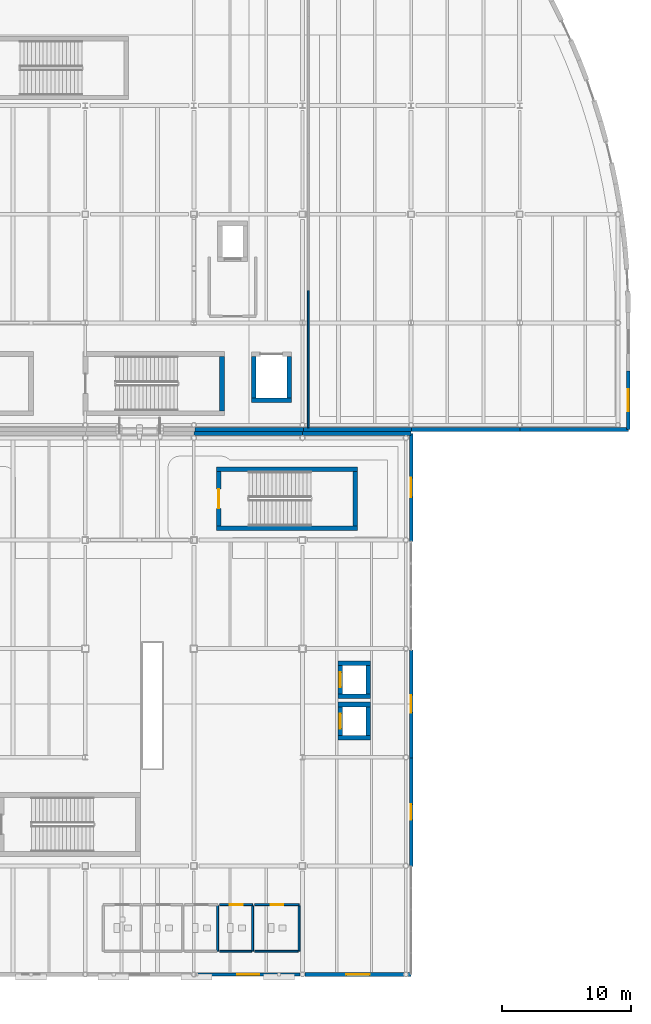
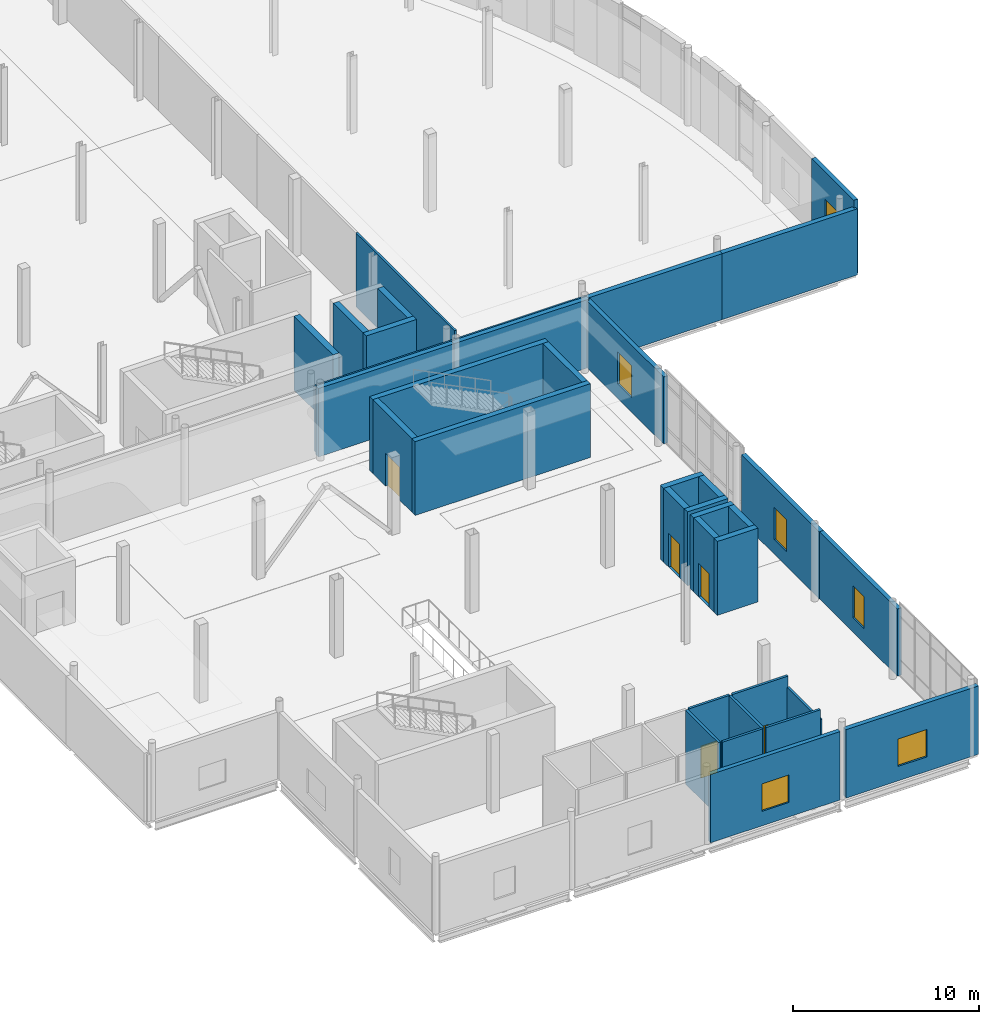
# One storey, part 72 of 104: 36 walls, 6 windows, 5 doors, 11 openings.
"""IFC4 building model written with IfcOpenShell, lengths in metres."""

from ifc_helpers import new_model, si_unit, direction, frame, frame_2d, origin, place, context, subcontext, project, spatial, rectangle, extrude, material, layer, layer_set, type_object, element, fill, save


model = new_model("IFC4")

# Units and contexts
model_context = context("Model", 3, precision=1e-05, world=origin(), true_north=direction((0.0, 1.0)))
body_context = subcontext(model_context, "Body", "Model", "MODEL_VIEW")
ifc_project = project(units=[si_unit("LENGTHUNIT", "METRE"), si_unit("AREAUNIT", "SQUARE_METRE"), si_unit("VOLUMEUNIT", "CUBIC_METRE"), si_unit("PLANEANGLEUNIT", "RADIAN"), si_unit("MASSUNIT", "GRAM", prefix="KILO"), si_unit("THERMODYNAMICTEMPERATUREUNIT", "KELVIN")], contexts=[model_context])

# Site, building, storey
site_placement = place(None, origin())
site = spatial("IfcSite", under=ifc_project, at=site_placement, CompositionType="ELEMENT")
building_placement = place(site_placement, origin())
building = spatial("IfcBuilding", under=site, at=building_placement, Name="Lustrewick Department Store", CompositionType="ELEMENT")
storey_placement = place(building_placement, frame((0.0, 0.0, 11.39990234375)))
storey = spatial("IfcBuildingStorey", under=building, at=storey_placement, Name="L03", CompositionType="ELEMENT", Elevation=11.39990234375)

# Wall, opening, window
ifc_material_1 = material(Name="Precast concrete C40", Category="concrete")
ifc_layer_1 = layer(ifc_material_1, 0.260009765625, Name="Precast concrete C40")
ifc_layer_set_1 = layer_set([ifc_layer_1], Name="Precast concrete C40")
wall_type_1 = type_object("IfcWallType", Name="EW02", PredefinedType="STANDARD", material=ifc_layer_set_1)
wall_1_placement = place(storey_placement, frame((134.58349609375, 8.39990234375, 0.0), z_axis=(0.0, 0.0, 1.0), x_axis=(1.0, 0.0, 0.0)))
wall_1 = element("IfcWall", 1, at=wall_1_placement, inside=storey, type_object=wall_type_1, Name="L03 V3 Exterior Wall EW02", PredefinedType="STANDARD", context=body_context, shape_type="SweptSolid", body=[
    extrude(rectangle(XDim=8.032958984375, YDim=0.260009765625, at=frame_2d((4.0166015625, 0.0))), origin(), (0.0, 0.0, 1.0), 4.487060546875),
])
opening_1_placement = place(wall_1_placement, frame((3.176513671875, 0.0, 0.949951171875)))
opening_1 = element("IfcOpeningElement", 2, at=opening_1_placement, cuts=wall_1, Name="Opening WN04", PredefinedType="OPENING", context=body_context, shape_type="SweptSolid", body=[
    extrude(rectangle(XDim=1.679931640625, YDim=1.800048828125, at=frame_2d((0.83984375, 0.89990234375))), frame((0.0, 0.14013671875, 0.0), z_axis=(0.0, -1.0, 0.0), x_axis=(1.0, 0.0, 0.0)), (0.0, 0.0, 1.0), 0.280029296875),
])
ifc_material_2 = material(Name="Thermally broken Low-E triple-glazed window", Category="glass")
window_type_1 = type_object("IfcWindowType", Name="WN04", PartitioningType="DOUBLE_PANEL_VERTICAL", PredefinedType="WINDOW", material=ifc_material_2)
window_1_placement = place(opening_1_placement, origin())
window_1 = element("IfcWindow", 3, at=window_1_placement, inside=storey, type_object=window_type_1, Name="L03 Art Nouveau Window WN04", OverallHeight=1.800048828125, OverallWidth=1.679931640625, PartitioningType="SINGLE_PANEL", PredefinedType="WINDOW", context=body_context, shape_type="SweptSolid", body=[
    extrude(rectangle(XDim=1.679931640625, YDim=1.800048828125, at=frame_2d((0.83984375, 0.89990234375))), frame((0.0, 0.030029296875, 0.0), z_axis=(0.0, -1.0, 0.0), x_axis=(1.0, 0.0, 0.0)), (0.0, 0.0, 1.0), 0.06005859375),
])
fill(opening_1, window_1)

wall_2_placement = place(storey_placement, frame((151.199951171875, 16.77001953125, 0.0), z_axis=(0.0, 0.0, 1.0), x_axis=(0.0, 1.0, 0.0)))
wall_2 = element("IfcWall", 4, at=wall_2_placement, inside=storey, type_object=wall_type_1, Name="L03 V3 Exterior Wall EW02", PredefinedType="STANDARD", context=body_context, shape_type="SweptSolid", body=[
    extrude(rectangle(XDim=8.369873046875, YDim=0.260009765625, at=frame_2d((4.18505859375, 0.0))), origin(), (0.0, 0.0, 1.0), 4.397216796875),
])
opening_2_placement = place(wall_2_placement, frame((3.5849609375, 0.0, 0.949951171875)))
opening_2 = element("IfcOpeningElement", 5, at=opening_2_placement, cuts=wall_2, Name="Opening WN06", PredefinedType="OPENING", context=body_context, shape_type="SweptSolid", body=[
    extrude(rectangle(XDim=1.199951171875, YDim=2.10009765625, at=frame_2d((0.60009765625, 1.050048828125))), frame((0.0, 0.14013671875, 0.0), z_axis=(0.0, -1.0, 0.0), x_axis=(1.0, 0.0, 0.0)), (0.0, 0.0, 1.0), 0.280029296875),
])
window_type_2 = type_object("IfcWindowType", Name="WN06", PartitioningType="DOUBLE_PANEL_VERTICAL", PredefinedType="WINDOW", material=ifc_material_2)
window_2_placement = place(opening_2_placement, origin())
window_2 = element("IfcWindow", 6, at=window_2_placement, inside=storey, type_object=window_type_2, Name="L03 Art Nouveau Window WN06", OverallHeight=2.10009765625, OverallWidth=1.199951171875, PartitioningType="SINGLE_PANEL", PredefinedType="WINDOW", context=body_context, shape_type="SweptSolid", body=[
    extrude(rectangle(XDim=1.199951171875, YDim=2.10009765625, at=frame_2d((0.60009765625, 1.050048828125))), frame((0.0, 0.030029296875, 0.0), z_axis=(0.0, -1.0, 0.0), x_axis=(1.0, 0.0, 0.0)), (0.0, 0.0, 1.0), 0.06005859375),
])
fill(opening_2, window_2)

wall_3_placement = place(storey_placement, frame((151.199951171875, 41.8798828125, 0.0), z_axis=(0.0, 0.0, 1.0), x_axis=(0.0, 1.0, 0.0)))
wall_3 = element("IfcWall", 7, at=wall_3_placement, inside=storey, type_object=wall_type_1, Name="L03 V3 Exterior Wall EW02", PredefinedType="STANDARD", context=body_context, shape_type="SweptSolid", body=[
    extrude(rectangle(XDim=8.3701171875, YDim=0.260009765625, at=frame_2d((4.18505859375, 0.0))), origin(), (0.0, 0.0, 1.0), 4.397216796875),
])
opening_3_placement = place(wall_3_placement, frame((3.43505859375, 0.0, 0.949951171875)))
opening_3 = element("IfcOpeningElement", 8, at=opening_3_placement, cuts=wall_3, Name="Opening WN08", PredefinedType="OPENING", context=body_context, shape_type="SweptSolid", body=[
    extrude(rectangle(XDim=1.5, YDim=2.10009765625, at=frame_2d((0.75, 1.050048828125))), frame((0.0, 0.14013671875, 0.0), z_axis=(0.0, -1.0, 0.0), x_axis=(1.0, 0.0, 0.0)), (0.0, 0.0, 1.0), 0.280029296875),
])
window_type_3 = type_object("IfcWindowType", Name="WN08", PartitioningType="DOUBLE_PANEL_VERTICAL", PredefinedType="WINDOW", material=ifc_material_2)
window_3_placement = place(opening_3_placement, origin())
window_3 = element("IfcWindow", 9, at=window_3_placement, inside=storey, type_object=window_type_3, Name="L03 Art Nouveau Window WN08", OverallHeight=2.10009765625, OverallWidth=1.5, PartitioningType="SINGLE_PANEL", PredefinedType="WINDOW", context=body_context, shape_type="SweptSolid", body=[
    extrude(rectangle(XDim=1.5, YDim=2.10009765625, at=frame_2d((0.75, 1.050048828125))), frame((0.0, 0.030029296875, 0.0), z_axis=(0.0, -1.0, 0.0), x_axis=(1.0, 0.0, 0.0)), (0.0, 0.0, 1.0), 0.06005859375),
])
fill(opening_3, window_3)

wall_4_placement = place(storey_placement, frame((168.0, 50.550048828125, 0.0), z_axis=(0.0, 0.0, 1.0), x_axis=(0.0, 1.0, 0.0)))
wall_4 = element("IfcWall", 10, at=wall_4_placement, inside=storey, type_object=wall_type_1, Name="L03 V4 Exterior Wall EW02", PredefinedType="STANDARD", context=body_context, shape_type="SweptSolid", body=[
    extrude(rectangle(XDim=4.52490234375, YDim=0.260009765625, at=frame_2d((2.262451171875, 0.0))), origin(), (0.0, 0.0, 1.0), 4.84521484375),
])
opening_4_placement = place(wall_4_placement, frame((1.422607421875, 0.0, 0.949951171875)))
opening_4 = element("IfcOpeningElement", 11, at=opening_4_placement, cuts=wall_4, Name="Opening WN09", PredefinedType="OPENING", context=body_context, shape_type="SweptSolid", body=[
    extrude(rectangle(XDim=1.679931640625, YDim=2.10009765625, at=frame_2d((0.83984375, 1.050048828125))), frame((0.0, 0.14013671875, 0.0), z_axis=(0.0, -1.0, 0.0), x_axis=(1.0, 0.0, 0.0)), (0.0, 0.0, 1.0), 0.280029296875),
])
window_type_4 = type_object("IfcWindowType", Name="WN09", PartitioningType="DOUBLE_PANEL_VERTICAL", PredefinedType="WINDOW", material=ifc_material_2)
window_4_placement = place(opening_4_placement, origin())
window_4 = element("IfcWindow", 12, at=window_4_placement, inside=storey, type_object=window_type_4, Name="L03 Art Nouveau Window WN09", OverallHeight=2.10009765625, OverallWidth=1.679931640625, PartitioningType="SINGLE_PANEL", PredefinedType="WINDOW", context=body_context, shape_type="SweptSolid", body=[
    extrude(rectangle(XDim=1.679931640625, YDim=2.10009765625, at=frame_2d((0.83984375, 1.050048828125))), frame((0.0, 0.030029296875, 0.0), z_axis=(0.0, -1.0, 0.0), x_axis=(1.0, 0.0, 0.0)), (0.0, 0.0, 1.0), 0.06005859375),
])
fill(opening_4, window_4)

ifc_layer_2 = layer(ifc_material_1, 0.280029296875, Name="Precast concrete C40")
ifc_layer_set_2 = layer_set([ifc_layer_2], Name="Precast concrete C40")
wall_type_2 = type_object("IfcWallType", Name="EW03", PredefinedType="STANDARD", material=ifc_layer_set_2)
wall_5_placement = place(storey_placement, frame((142.9833984375, 8.39990234375, 0.0), z_axis=(0.0, 0.0, 1.0), x_axis=(1.0, 0.0, 0.0)))
wall_5 = element("IfcWall", 13, at=wall_5_placement, inside=storey, type_object=wall_type_2, Name="L03 V3 Exterior Wall EW03", PredefinedType="STANDARD", context=body_context, shape_type="SweptSolid", body=[
    extrude(rectangle(XDim=8.216552734375, YDim=0.280029296875, at=frame_2d((4.1083984375, 0.0))), origin(), (0.0, 0.0, 1.0), 4.487060546875),
])
opening_5_placement = place(wall_5_placement, frame((3.208251953125, 0.0, 0.949951171875)))
opening_5 = element("IfcOpeningElement", 14, at=opening_5_placement, cuts=wall_5, Name="Opening WN05", PredefinedType="OPENING", context=body_context, shape_type="SweptSolid", body=[
    extrude(rectangle(XDim=1.800048828125, YDim=1.800048828125, at=frame_2d((0.89990234375, 0.89990234375))), frame((0.0, 0.14990234375, 0.0), z_axis=(0.0, -1.0, 0.0), x_axis=(1.0, 0.0, 0.0)), (0.0, 0.0, 1.0), 0.300048828125),
])
window_type_5 = type_object("IfcWindowType", Name="WN05", PartitioningType="DOUBLE_PANEL_VERTICAL", PredefinedType="WINDOW", material=ifc_material_2)
window_5_placement = place(opening_5_placement, origin())
window_5 = element("IfcWindow", 15, at=window_5_placement, inside=storey, type_object=window_type_5, Name="L03 Art Nouveau Window WN05", OverallHeight=1.800048828125, OverallWidth=1.800048828125, PartitioningType="SINGLE_PANEL", PredefinedType="WINDOW", context=body_context, shape_type="SweptSolid", body=[
    extrude(rectangle(XDim=1.800048828125, YDim=1.800048828125, at=frame_2d((0.89990234375, 0.89990234375))), frame((0.0, 0.030029296875, 0.0), z_axis=(0.0, -1.0, 0.0), x_axis=(1.0, 0.0, 0.0)), (0.0, 0.0, 1.0), 0.06005859375),
])
fill(opening_5, window_5)

wall_6_placement = place(storey_placement, frame((151.199951171875, 25.139892578125, 0.0), z_axis=(0.0, 0.0, 1.0), x_axis=(0.0, 1.0, 0.0)))
wall_6 = element("IfcWall", 16, at=wall_6_placement, inside=storey, type_object=wall_type_2, Name="L03 V3 Exterior Wall EW03", PredefinedType="STANDARD", context=body_context, shape_type="SweptSolid", body=[
    extrude(rectangle(XDim=8.3701171875, YDim=0.280029296875, at=frame_2d((4.18505859375, 0.0))), origin(), (0.0, 0.0, 1.0), 4.397216796875),
])
opening_6_placement = place(wall_6_placement, frame((3.510009765625, 0.0, 0.949951171875)))
opening_6 = element("IfcOpeningElement", 17, at=opening_6_placement, cuts=wall_6, Name="Opening WN07", PredefinedType="OPENING", context=body_context, shape_type="SweptSolid", body=[
    extrude(rectangle(XDim=1.35009765625, YDim=2.10009765625, at=frame_2d((0.675048828125, 1.050048828125))), frame((0.0, 0.14990234375, 0.0), z_axis=(0.0, -1.0, 0.0), x_axis=(1.0, 0.0, 0.0)), (0.0, 0.0, 1.0), 0.300048828125),
])
window_type_6 = type_object("IfcWindowType", Name="WN07", PartitioningType="DOUBLE_PANEL_VERTICAL", PredefinedType="WINDOW", material=ifc_material_2)
window_6_placement = place(opening_6_placement, origin())
window_6 = element("IfcWindow", 18, at=window_6_placement, inside=storey, type_object=window_type_6, Name="L03 Art Nouveau Window WN07", OverallHeight=2.10009765625, OverallWidth=1.35009765625, PartitioningType="SINGLE_PANEL", PredefinedType="WINDOW", context=body_context, shape_type="SweptSolid", body=[
    extrude(rectangle(XDim=1.35009765625, YDim=2.10009765625, at=frame_2d((0.675048828125, 1.050048828125))), frame((0.0, 0.030029296875, 0.0), z_axis=(0.0, -1.0, 0.0), x_axis=(1.0, 0.0, 0.0)), (0.0, 0.0, 1.0), 0.06005859375),
])
fill(opening_6, window_6)

# Walls
ifc_layer_3 = layer(ifc_material_1, 0.300048828125, Name="Precast concrete C40")
ifc_layer_set_3 = layer_set([ifc_layer_3], Name="Precast concrete C40")
wall_type_3 = type_object("IfcWallType", Name="EW04", PredefinedType="STANDARD", material=ifc_layer_set_3)
wall_7_placement = place(storey_placement, frame((151.199951171875, 50.25, 0.0), z_axis=(0.0, 0.0, 1.0), x_axis=(-1.0, 0.0, 0.0)))
element("IfcWall", 19, at=wall_7_placement, inside=storey, type_object=wall_type_3, Name="L03 V3 Exterior Wall EW04", PredefinedType="STANDARD", context=body_context, shape_type="SweptSolid", body=[
    extrude(rectangle(XDim=8.39990234375, YDim=0.300048828125, at=frame_2d((4.199951171875, 0.0))), origin(), (0.0, 0.0, 1.0), 4.487060546875),
])
wall_8_placement = place(storey_placement, frame((142.800048828125, 50.25, 0.0), z_axis=(0.0, 0.0, 1.0), x_axis=(-1.0, 0.0, 0.0)))
element("IfcWall", 20, at=wall_8_placement, inside=storey, type_object=wall_type_3, Name="L03 V3 Exterior Wall EW04", PredefinedType="STANDARD", context=body_context, shape_type="SweptSolid", body=[
    extrude(rectangle(XDim=8.400146484375, YDim=0.300048828125, at=frame_2d((4.2001953125, 0.0))), origin(), (0.0, 0.0, 1.0), 4.487060546875),
])
for number, where, z_axis, x_axis, name in (
    (21, (134.485595703125, 50.550048828125, 0.0), (0.0, 0.0, 1.0), (1.0, 0.0, 0.0), "L03 V4 Exterior Wall EW04"),
    (22, (142.8642578125, 50.550048828125, 0.0), (0.0, 0.0, 1.0), (1.0, 0.0, 0.0), "L03 V4 Exterior Wall EW04"),
):
    element("IfcWall", number, at=place(storey_placement, frame(where, z_axis=z_axis, x_axis=x_axis)), inside=storey, type_object=wall_type_3, Name=name, PredefinedType="STANDARD", context=body_context, shape_type="SweptSolid", body=[
        extrude(rectangle(XDim=8.378662109375, YDim=0.300048828125, at=frame_2d((4.189453125, 0.0))), origin(), (0.0, 0.0, 1.0), 4.3310546875),
    ])
wall_9_placement = place(storey_placement, frame((151.242919921875, 50.550048828125, 0.0), z_axis=(0.0, 0.0, 1.0), x_axis=(1.0, 0.0, 0.0)))
element("IfcWall", 23, at=wall_9_placement, inside=storey, type_object=wall_type_3, Name="L03 V4 Exterior Wall EW04", PredefinedType="STANDARD", context=body_context, shape_type="SweptSolid", body=[
    extrude(rectangle(XDim=8.37841796875, YDim=0.300048828125, at=frame_2d((4.189208984375, 0.0))), origin(), (0.0, 0.0, 1.0), 4.3310546875),
])
wall_10_placement = place(storey_placement, frame((159.621337890625, 50.550048828125, 0.0), z_axis=(0.0, 0.0, 1.0), x_axis=(1.0, 0.0, 0.0)))
element("IfcWall", 24, at=wall_10_placement, inside=storey, type_object=wall_type_3, Name="L03 V4 Exterior Wall EW04", PredefinedType="STANDARD", context=body_context, shape_type="SweptSolid", body=[
    extrude(rectangle(XDim=8.378662109375, YDim=0.300048828125, at=frame_2d((4.189453125, 0.0))), origin(), (0.0, 0.0, 1.0), 4.3310546875),
])
ifc_material_3 = material(Name="Moisture-resistant cement board sanitary partition", Category="gypsum")
ifc_layer_4 = layer(ifc_material_3, 0.14990234375, Name="Moisture-resistant cement board sanitary partition")
ifc_layer_set_4 = layer_set([ifc_layer_4], Name="Moisture-resistant cement board sanitary partition")
wall_type_4 = type_object("IfcWallType", Name="PW05", PredefinedType="PARTITIONING", material=ifc_layer_set_4)
wall_11_placement = place(storey_placement, frame((136.239990234375, 10.199951171875, 0.0), z_axis=(0.0, 0.0, 1.0), x_axis=(0.0, 1.0, 0.0)))
element("IfcWall", 25, at=wall_11_placement, inside=storey, type_object=wall_type_4, Name="L03 Accessible WC PW05", PredefinedType="PARTITIONING", context=body_context, shape_type="SweptSolid", body=[
    extrude(rectangle(XDim=3.530029296875, YDim=0.14990234375, at=frame_2d((1.76513671875, 0.0))), origin(), (0.0, 0.0, 1.0), 4.84521484375),
])

# Wall, opening, door
wall_12_placement = place(storey_placement, frame((138.93994140625, 13.800048828125, 0.0), z_axis=(0.0, 0.0, 1.0), x_axis=(-1.0, 0.0, 0.0)))
wall_12 = element("IfcWall", 26, at=wall_12_placement, inside=storey, type_object=wall_type_4, Name="L03 Staff WC PW05", PredefinedType="PARTITIONING", context=body_context, shape_type="SweptSolid", body=[
    extrude(rectangle(XDim=2.5400390625, YDim=0.14990234375, at=frame_2d((1.27001953125, 0.0))), origin(), (0.0, 0.0, 1.0), 4.84521484375),
])
opening_7_placement = place(wall_12_placement, frame((0.77001953125, 0.0, 0.0)))
opening_7 = element("IfcOpeningElement", 27, at=opening_7_placement, cuts=wall_12, Name="Opening D-L03-052", PredefinedType="OPENING", context=body_context, shape_type="SweptSolid", body=[
    extrude(rectangle(XDim=1.0, YDim=2.10009765625, at=frame_2d((0.5, 1.050048828125))), frame((0.0, 0.0849609375, 0.0), z_axis=(0.0, -1.0, 0.0), x_axis=(1.0, 0.0, 0.0)), (0.0, 0.0, 1.0), 0.169921875),
])
ifc_material_4 = material(Name="Moisture-resistant laminate sanitary door", Category="steel")
door_type_1 = type_object("IfcDoorType", Name="DT-11", OperationType="NOTDEFINED", PredefinedType="DOOR", material=ifc_material_4)
door_1_placement = place(opening_7_placement, origin())
door_1 = element("IfcDoor", 28, at=door_1_placement, inside=storey, type_object=door_type_1, Name="L03 Staff WC Door D-L03-052", OperationType="SINGLE_SWING_RIGHT", OverallHeight=2.10009765625, OverallWidth=1.0, PredefinedType="DOOR", context=body_context, shape_type="SweptSolid", body=[
    extrude(rectangle(XDim=1.0, YDim=2.10009765625, at=frame_2d((0.5, 1.050048828125))), frame((0.0, 0.02490234375, 0.0), z_axis=(0.0, -1.0, 0.0), x_axis=(1.0, 0.0, 0.0)), (0.0, 0.0, 1.0), 0.050048828125),
])
fill(opening_7, door_1)

# Walls
wall_13_placement = place(storey_placement, frame((138.93994140625, 10.199951171875, 0.0), z_axis=(0.0, 0.0, 1.0), x_axis=(0.0, 1.0, 0.0)))
element("IfcWall", 29, at=wall_13_placement, inside=storey, type_object=wall_type_4, Name="L03 Staff WC PW05", PredefinedType="PARTITIONING", context=body_context, shape_type="SweptSolid", body=[
    extrude(rectangle(XDim=3.530029296875, YDim=0.14990234375, at=frame_2d((1.76513671875, 0.0))), origin(), (0.0, 0.0, 1.0), 4.84521484375),
])
wall_14_placement = place(storey_placement, frame((136.39990234375, 10.199951171875, 0.0), z_axis=(0.0, 0.0, 1.0), x_axis=(1.0, 0.0, 0.0)))
element("IfcWall", 30, at=wall_14_placement, inside=storey, type_object=wall_type_4, Name="L03 Staff WC PW05", PredefinedType="PARTITIONING", context=body_context, shape_type="SweptSolid", body=[
    extrude(rectangle(XDim=2.47021484375, YDim=0.14990234375, at=frame_2d((1.235107421875, 0.0))), origin(), (0.0, 0.0, 1.0), 4.84521484375),
])

# Wall, opening, door
wall_15_placement = place(storey_placement, frame((142.5400390625, 13.800048828125, 0.0), z_axis=(0.0, 0.0, 1.0), x_axis=(-1.0, 0.0, 0.0)))
wall_15 = element("IfcWall", 31, at=wall_15_placement, inside=storey, type_object=wall_type_4, Name="L03 Nursery Room PW05", PredefinedType="PARTITIONING", context=body_context, shape_type="SweptSolid", body=[
    extrude(rectangle(XDim=3.43994140625, YDim=0.14990234375, at=frame_2d((1.719970703125, 0.0))), origin(), (0.0, 0.0, 1.0), 4.84521484375),
])
opening_8_placement = place(wall_15_placement, frame((1.22998046875, 0.0, 0.0)))
opening_8 = element("IfcOpeningElement", 32, at=opening_8_placement, cuts=wall_15, Name="Opening D-L03-053", PredefinedType="OPENING", context=body_context, shape_type="SweptSolid", body=[
    extrude(rectangle(XDim=0.97998046875, YDim=2.10009765625, at=frame_2d((0.489990234375, 1.050048828125))), frame((0.0, 0.0849609375, 0.0), z_axis=(0.0, -1.0, 0.0), x_axis=(1.0, 0.0, 0.0)), (0.0, 0.0, 1.0), 0.169921875),
])
ifc_material_5 = material(Name="Barrier-free accessible sanitary door", Category="steel")
door_type_2 = type_object("IfcDoorType", Name="DT-12", OperationType="NOTDEFINED", PredefinedType="DOOR", material=ifc_material_5)
door_2_placement = place(opening_8_placement, origin())
door_2 = element("IfcDoor", 33, at=door_2_placement, inside=storey, type_object=door_type_2, Name="L03 Nursery Room Door D-L03-053", OperationType="SINGLE_SWING_LEFT", OverallHeight=2.10009765625, OverallWidth=0.97998046875, PredefinedType="DOOR", context=body_context, shape_type="SweptSolid", body=[
    extrude(rectangle(XDim=0.97998046875, YDim=2.10009765625, at=frame_2d((0.489990234375, 1.050048828125))), frame((0.0, 0.02490234375, 0.0), z_axis=(0.0, -1.0, 0.0), x_axis=(1.0, 0.0, 0.0)), (0.0, 0.0, 1.0), 0.050048828125),
])
fill(opening_8, door_2)

# Walls
wall_16_placement = place(storey_placement, frame((142.5400390625, 10.199951171875, 0.0), z_axis=(0.0, 0.0, 1.0), x_axis=(0.0, 1.0, 0.0)))
element("IfcWall", 34, at=wall_16_placement, inside=storey, type_object=wall_type_4, Name="L03 Nursery Room PW05", PredefinedType="PARTITIONING", context=body_context, shape_type="SweptSolid", body=[
    extrude(rectangle(XDim=3.530029296875, YDim=0.14990234375, at=frame_2d((1.76513671875, 0.0))), origin(), (0.0, 0.0, 1.0), 4.129150390625),
])
wall_17_placement = place(storey_placement, frame((139.10009765625, 10.199951171875, 0.0), z_axis=(0.0, 0.0, 1.0), x_axis=(1.0, 0.0, 0.0)))
element("IfcWall", 35, at=wall_17_placement, inside=storey, type_object=wall_type_4, Name="L03 Nursery Room PW05", PredefinedType="PARTITIONING", context=body_context, shape_type="SweptSolid", body=[
    extrude(rectangle(XDim=3.369873046875, YDim=0.14990234375, at=frame_2d((1.68505859375, 0.0))), origin(), (0.0, 0.0, 1.0), 4.84521484375),
])
ifc_material_6 = material(Name="Acoustic gypsum stud corridor partition", Category="gypsum")
ifc_layer_5 = layer(ifc_material_6, 0.135009765625, Name="Acoustic gypsum stud corridor partition")
ifc_layer_set_5 = layer_set([ifc_layer_5], Name="Acoustic gypsum stud corridor partition")
wall_type_5 = type_object("IfcWallType", Name="PW06", PredefinedType="PARTITIONING", material=ifc_layer_set_5)
wall_18_placement = place(storey_placement, frame((143.248291015625, 61.295654296875, 0.0), z_axis=(0.0, 0.0, 1.0), x_axis=(0.0, -1.0, 0.0)))
element("IfcWall", 36, at=wall_18_placement, inside=storey, type_object=wall_type_5, Name="L03 Merchandise Selection Studio PW06", PredefinedType="PARTITIONING", context=body_context, shape_type="SweptSolid", body=[
    extrude(rectangle(XDim=10.6005859375, YDim=0.135009765625, at=frame_2d((5.30029296875, 0.0))), origin(), (0.0, 0.0, 1.0), 4.84521484375),
])
ifc_material_7 = material(Name="Concrete C40", Category="concrete")
ifc_layer_6 = layer(ifc_material_7, 0.3798828125, Name="Concrete C40")
ifc_layer_set_6 = layer_set([ifc_layer_6], Name="Concrete C40")
wall_type_6 = type_object("IfcWallType", Name="SW03", PredefinedType="SHEAR", material=ifc_layer_set_6)
wall_19_placement = place(storey_placement, frame((136.590087890625, 52.0, 0.0), z_axis=(0.0, 0.0, 1.0), x_axis=(0.0, 1.0, 0.0)))
element("IfcWall", 37, at=wall_19_placement, inside=storey, type_object=wall_type_6, Name="L03 Stair Core ST11 Shear Wall E", PredefinedType="SHEAR", context=body_context, shape_type="SweptSolid", body=[
    extrude(rectangle(XDim=4.199951171875, YDim=0.3798828125, at=frame_2d((2.10009765625, 0.0))), origin(), (0.0, 0.0, 1.0), 4.84521484375),
])
ifc_layer_7 = layer(ifc_material_7, 0.360107421875, Name="Concrete C40")
ifc_layer_set_7 = layer_set([ifc_layer_7], Name="Concrete C40")
wall_type_7 = type_object("IfcWallType", Name="SW04", PredefinedType="SHEAR", material=ifc_layer_set_7)
wall_20_placement = place(storey_placement, frame((145.5400390625, 26.719970703125, 0.0), z_axis=(0.0, 0.0, 1.0), x_axis=(1.0, 0.0, 0.0)))
element("IfcWall", 38, at=wall_20_placement, inside=storey, type_object=wall_type_7, Name="L03 Lift PL-05 Shaft Wall -Y", PredefinedType="SHEAR", context=body_context, shape_type="SweptSolid", body=[
    extrude(rectangle(XDim=2.52001953125, YDim=0.360107421875, at=frame_2d((1.260009765625, 0.0))), origin(), (0.0, 0.0, 1.0), 4.84521484375),
])
wall_21_placement = place(storey_placement, frame((147.8798828125, 26.89990234375, 0.0), z_axis=(0.0, 0.0, 1.0), x_axis=(0.0, 1.0, 0.0)))
element("IfcWall", 39, at=wall_21_placement, inside=storey, type_object=wall_type_7, Name="L03 Lift PL-05 Shaft Wall +X", PredefinedType="SHEAR", context=body_context, shape_type="SweptSolid", body=[
    extrude(rectangle(XDim=2.2001953125, YDim=0.360107421875, at=frame_2d((1.10009765625, 0.0))), origin(), (0.0, 0.0, 1.0), 4.84521484375),
])
wall_22_placement = place(storey_placement, frame((148.06005859375, 29.280029296875, 0.0), z_axis=(0.0, 0.0, 1.0), x_axis=(-1.0, 0.0, 0.0)))
element("IfcWall", 40, at=wall_22_placement, inside=storey, type_object=wall_type_7, Name="L03 Lift PL-05 Shaft Wall +Y", PredefinedType="SHEAR", context=body_context, shape_type="SweptSolid", body=[
    extrude(rectangle(XDim=2.52001953125, YDim=0.360107421875, at=frame_2d((1.260009765625, 0.0))), origin(), (0.0, 0.0, 1.0), 4.84521484375),
])

# Wall, opening, door
wall_23_placement = place(storey_placement, frame((145.719970703125, 29.10009765625, 0.0), z_axis=(0.0, 0.0, 1.0), x_axis=(0.0, -1.0, 0.0)))
wall_23 = element("IfcWall", 41, at=wall_23_placement, inside=storey, type_object=wall_type_7, Name="L03 Lift PL-05 Shaft Wall -X", PredefinedType="SHEAR", context=body_context, shape_type="SweptSolid", body=[
    extrude(rectangle(XDim=2.2001953125, YDim=0.360107421875, at=frame_2d((1.10009765625, 0.0))), origin(), (0.0, 0.0, 1.0), 4.84521484375),
])
opening_9_placement = place(wall_23_placement, frame((0.52490234375, 0.0, 0.0)))
opening_9 = element("IfcOpeningElement", 42, at=opening_9_placement, cuts=wall_23, Name="Opening LD-L03-09", PredefinedType="OPENING", context=body_context, shape_type="SweptSolid", body=[
    extrude(rectangle(XDim=1.14990234375, YDim=2.199951171875, at=frame_2d((0.574951171875, 1.10009765625))), frame((0.0, 0.18994140625, 0.0), z_axis=(0.0, -1.0, 0.0), x_axis=(1.0, 0.0, 0.0)), (0.0, 0.0, 1.0), 0.380126953125),
])
ifc_material_8 = material(Name="Brushed bronze passenger lift landing door EI 60", Category="steel")
door_type_3 = type_object("IfcDoorType", Name="DT-16", OperationType="NOTDEFINED", PredefinedType="DOOR", material=ifc_material_8)
door_3_placement = place(opening_9_placement, frame((1.14990234375, 0.0, 0.0), z_axis=(0.0, 0.0, 1.0), x_axis=(-1.0, 0.0, 0.0)))
door_3 = element("IfcDoor", 43, at=door_3_placement, inside=storey, type_object=door_type_3, Name="L03 Lift PL-05 Sliding Landing Door LD-L03-09", OperationType="DOUBLE_DOOR_SLIDING", OverallHeight=2.199951171875, OverallWidth=1.14990234375, PredefinedType="DOOR", context=body_context, shape_type="SweptSolid", body=[
    extrude(rectangle(XDim=1.14990234375, YDim=2.199951171875, at=frame_2d((0.574951171875, 1.10009765625))), frame((0.0, 0.02490234375, 0.0), z_axis=(0.0, -1.0, 0.0), x_axis=(1.0, 0.0, 0.0)), (0.0, 0.0, 1.0), 0.050048828125),
])
fill(opening_9, door_3)

# Walls
wall_24_placement = place(storey_placement, frame((145.5400390625, 29.919921875, 0.0), z_axis=(0.0, 0.0, 1.0), x_axis=(1.0, 0.0, 0.0)))
element("IfcWall", 44, at=wall_24_placement, inside=storey, type_object=wall_type_7, Name="L03 Lift PL-06 Shaft Wall -Y", PredefinedType="SHEAR", context=body_context, shape_type="SweptSolid", body=[
    extrude(rectangle(XDim=2.52001953125, YDim=0.360107421875, at=frame_2d((1.260009765625, 0.0))), origin(), (0.0, 0.0, 1.0), 4.84521484375),
])
wall_25_placement = place(storey_placement, frame((147.8798828125, 30.10009765625, 0.0), z_axis=(0.0, 0.0, 1.0), x_axis=(0.0, 1.0, 0.0)))
element("IfcWall", 45, at=wall_25_placement, inside=storey, type_object=wall_type_7, Name="L03 Lift PL-06 Shaft Wall +X", PredefinedType="SHEAR", context=body_context, shape_type="SweptSolid", body=[
    extrude(rectangle(XDim=2.199951171875, YDim=0.360107421875, at=frame_2d((1.10009765625, 0.0))), origin(), (0.0, 0.0, 1.0), 4.84521484375),
])
wall_26_placement = place(storey_placement, frame((148.06005859375, 32.47998046875, 0.0), z_axis=(0.0, 0.0, 1.0), x_axis=(-1.0, 0.0, 0.0)))
element("IfcWall", 46, at=wall_26_placement, inside=storey, type_object=wall_type_7, Name="L03 Lift PL-06 Shaft Wall +Y", PredefinedType="SHEAR", context=body_context, shape_type="SweptSolid", body=[
    extrude(rectangle(XDim=2.52001953125, YDim=0.360107421875, at=frame_2d((1.260009765625, 0.0))), origin(), (0.0, 0.0, 1.0), 4.84521484375),
])

# Wall, opening, door
wall_27_placement = place(storey_placement, frame((145.719970703125, 32.300048828125, 0.0), z_axis=(0.0, 0.0, 1.0), x_axis=(0.0, -1.0, 0.0)))
wall_27 = element("IfcWall", 47, at=wall_27_placement, inside=storey, type_object=wall_type_7, Name="L03 Lift PL-06 Shaft Wall -X", PredefinedType="SHEAR", context=body_context, shape_type="SweptSolid", body=[
    extrude(rectangle(XDim=2.199951171875, YDim=0.360107421875, at=frame_2d((1.10009765625, 0.0))), origin(), (0.0, 0.0, 1.0), 4.84521484375),
])
opening_10_placement = place(wall_27_placement, frame((0.52490234375, 0.0, 0.0)))
opening_10 = element("IfcOpeningElement", 48, at=opening_10_placement, cuts=wall_27, Name="Opening LD-L03-10", PredefinedType="OPENING", context=body_context, shape_type="SweptSolid", body=[
    extrude(rectangle(XDim=1.14990234375, YDim=2.199951171875, at=frame_2d((0.574951171875, 1.10009765625))), frame((0.0, 0.18994140625, 0.0), z_axis=(0.0, -1.0, 0.0), x_axis=(1.0, 0.0, 0.0)), (0.0, 0.0, 1.0), 0.380126953125),
])
door_4_placement = place(opening_10_placement, frame((1.14990234375, 0.0, 0.0), z_axis=(0.0, 0.0, 1.0), x_axis=(-1.0, 0.0, 0.0)))
door_4 = element("IfcDoor", 49, at=door_4_placement, inside=storey, type_object=door_type_3, Name="L03 Lift PL-06 Sliding Landing Door LD-L03-10", OperationType="DOUBLE_DOOR_SLIDING", OverallHeight=2.199951171875, OverallWidth=1.14990234375, PredefinedType="DOOR", context=body_context, shape_type="SweptSolid", body=[
    extrude(rectangle(XDim=1.14990234375, YDim=2.199951171875, at=frame_2d((0.574951171875, 1.10009765625))), frame((0.0, 0.02490234375, 0.0), z_axis=(0.0, -1.0, 0.0), x_axis=(1.0, 0.0, 0.0)), (0.0, 0.0, 1.0), 0.050048828125),
])
fill(opening_10, door_4)

# Walls
wall_28_placement = place(storey_placement, frame((138.840087890625, 52.820068359375, 0.0), z_axis=(0.0, 0.0, 1.0), x_axis=(1.0, 0.0, 0.0)))
element("IfcWall", 50, at=wall_28_placement, inside=storey, type_object=wall_type_7, Name="L03 Lift GL-04 Shaft Wall -Y", PredefinedType="SHEAR", context=body_context, shape_type="SweptSolid", body=[
    extrude(rectangle(XDim=3.119873046875, YDim=0.360107421875, at=frame_2d((1.56005859375, 0.0))), origin(), (0.0, 0.0, 1.0), 4.84521484375),
])
for number, where, z_axis, x_axis, name in (
    (51, (141.780029296875, 53.0, 0.0), (0.0, 0.0, 1.0), (0.0, 1.0, 0.0), "L03 Lift GL-04 Shaft Wall +X"),
    (52, (139.02001953125, 56.199951171875, 0.0), (0.0, 0.0, 1.0), (0.0, -1.0, 0.0), "L03 Lift GL-04 Shaft Wall -X"),
):
    element("IfcWall", number, at=place(storey_placement, frame(where, z_axis=z_axis, x_axis=x_axis)), inside=storey, type_object=wall_type_7, Name=name, PredefinedType="SHEAR", context=body_context, shape_type="SweptSolid", body=[
        extrude(rectangle(XDim=3.199951171875, YDim=0.360107421875, at=frame_2d((1.60009765625, 0.0))), origin(), (0.0, 0.0, 1.0), 4.84521484375),
    ])
ifc_layer_8 = layer(ifc_material_7, 0.340087890625, Name="Concrete C40")
ifc_layer_set_8 = layer_set([ifc_layer_8], Name="Concrete C40")
wall_type_8 = type_object("IfcWallType", Name="SW05", PredefinedType="SHEAR", material=ifc_layer_set_8)
wall_29_placement = place(storey_placement, frame((136.159912109375, 42.929931640625, 0.0), z_axis=(0.0, 0.0, 1.0), x_axis=(1.0, 0.0, 0.0)))
element("IfcWall", 53, at=wall_29_placement, inside=storey, type_object=wall_type_8, Name="L03 Stair Core ST08 Shear Wall S", PredefinedType="SHEAR", context=body_context, shape_type="SweptSolid", body=[
    extrude(rectangle(XDim=10.880126953125, YDim=0.340087890625, at=frame_2d((5.43994140625, 0.0))), origin(), (0.0, 0.0, 1.0), 4.84521484375),
])
wall_30_placement = place(storey_placement, frame((146.8701171875, 43.10009765625, 0.0), z_axis=(0.0, 0.0, 1.0), x_axis=(0.0, 1.0, 0.0)))
element("IfcWall", 54, at=wall_30_placement, inside=storey, type_object=wall_type_8, Name="L03 Stair Core ST08 Shear Wall E", PredefinedType="SHEAR", context=body_context, shape_type="SweptSolid", body=[
    extrude(rectangle(XDim=4.199951171875, YDim=0.340087890625, at=frame_2d((2.10009765625, 0.0))), origin(), (0.0, 0.0, 1.0), 4.84521484375),
])
wall_31_placement = place(storey_placement, frame((147.0400390625, 47.469970703125, 0.0), z_axis=(0.0, 0.0, 1.0), x_axis=(-1.0, 0.0, 0.0)))
element("IfcWall", 55, at=wall_31_placement, inside=storey, type_object=wall_type_8, Name="L03 Stair Core ST08 Shear Wall N", PredefinedType="SHEAR", context=body_context, shape_type="SweptSolid", body=[
    extrude(rectangle(XDim=10.880126953125, YDim=0.340087890625, at=frame_2d((5.43994140625, 0.0))), origin(), (0.0, 0.0, 1.0), 4.84521484375),
])

# Wall, opening, door
wall_32_placement = place(storey_placement, frame((136.330078125, 47.300048828125, 0.0), z_axis=(0.0, 0.0, 1.0), x_axis=(0.0, -1.0, 0.0)))
wall_32 = element("IfcWall", 56, at=wall_32_placement, inside=storey, type_object=wall_type_8, Name="L03 Stair Core ST08 Shear Wall W", PredefinedType="SHEAR", context=body_context, shape_type="SweptSolid", body=[
    extrude(rectangle(XDim=4.199951171875, YDim=0.340087890625, at=frame_2d((2.10009765625, 0.0))), origin(), (0.0, 0.0, 1.0), 4.84521484375),
])
opening_11_placement = place(wall_32_placement, frame((1.35009765625, 0.0, 0.0)))
opening_11 = element("IfcOpeningElement", 57, at=opening_11_placement, cuts=wall_32, Name="Opening D-L03-008", PredefinedType="OPENING", context=body_context, shape_type="SweptSolid", body=[
    extrude(rectangle(XDim=1.5, YDim=2.14990234375, at=frame_2d((0.75, 1.074951171875))), frame((0.0, 0.18017578125, 0.0), z_axis=(0.0, -1.0, 0.0), x_axis=(1.0, 0.0, 0.0)), (0.0, 0.0, 1.0), 0.360107421875),
])
ifc_material_9 = material(Name="Steel fire door Class B EI 60", Category="steel")
door_type_4 = type_object("IfcDoorType", Name="DT-07", OperationType="NOTDEFINED", PredefinedType="DOOR", material=ifc_material_9)
door_5_placement = place(opening_11_placement, origin())
door_5 = element("IfcDoor", 58, at=door_5_placement, inside=storey, type_object=door_type_4, Name="L03 Smoke-Proof Stair ST08 Fire Door", OperationType="SINGLE_SWING_LEFT", OverallHeight=2.14990234375, OverallWidth=1.5, PredefinedType="DOOR", context=body_context, shape_type="SweptSolid", body=[
    extrude(rectangle(XDim=1.5, YDim=2.14990234375, at=frame_2d((0.75, 1.074951171875))), frame((0.0, 0.02490234375, 0.0), z_axis=(0.0, -1.0, 0.0), x_axis=(1.0, 0.0, 0.0)), (0.0, 0.0, 1.0), 0.050048828125),
])
fill(opening_11, door_5)

save(model, "model.ifc")
